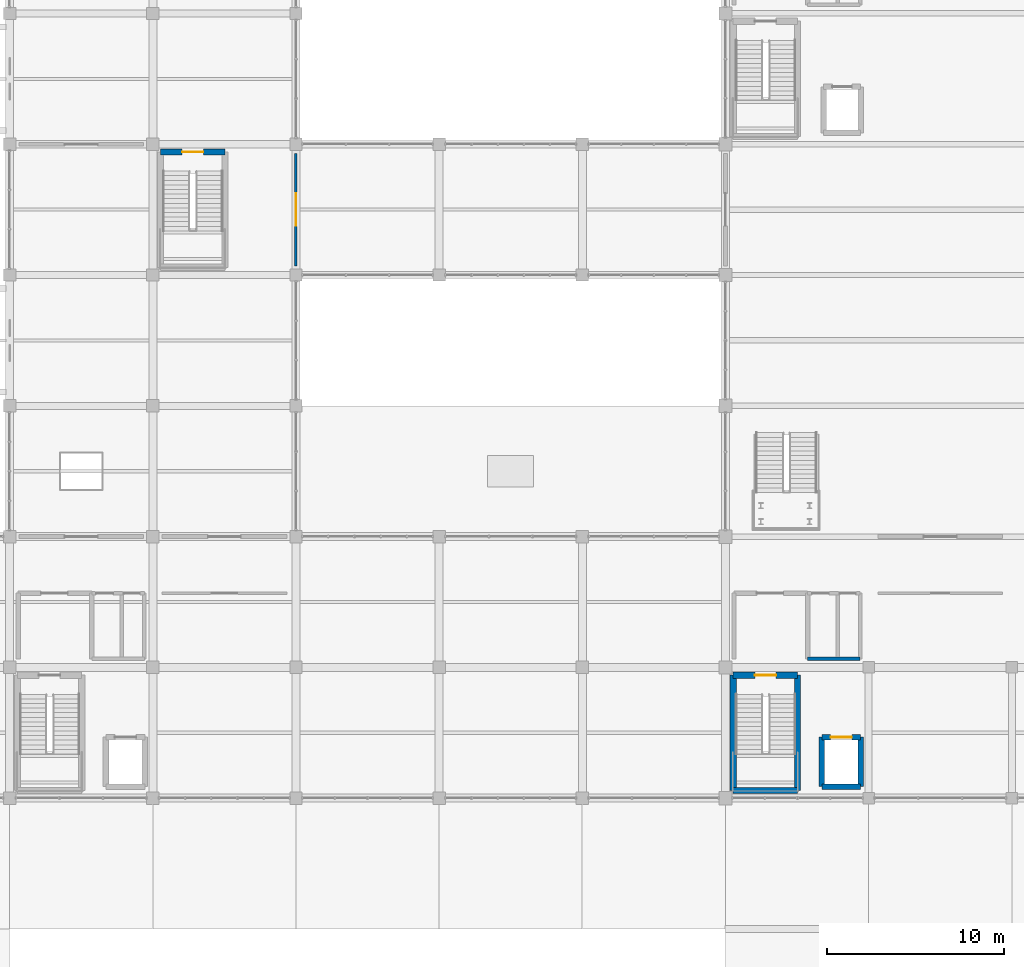
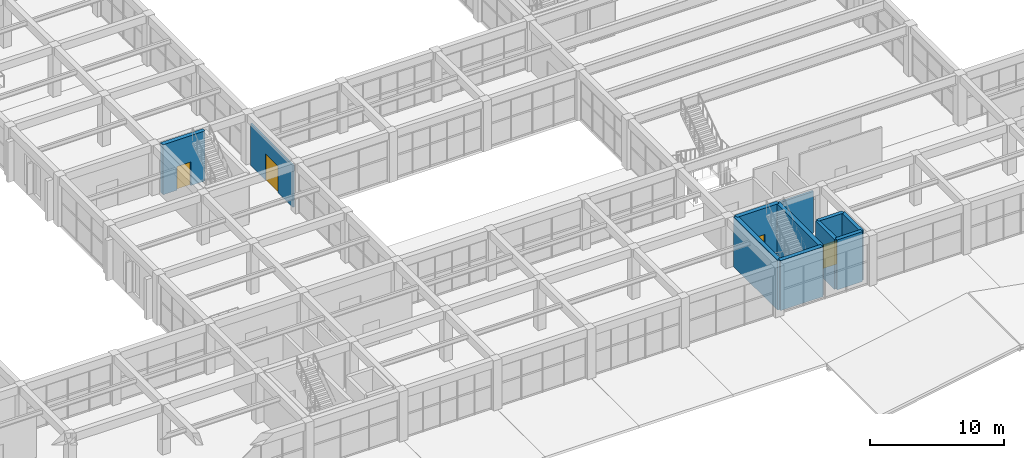
# One storey, part 146 of 161: 11 walls, 4 doors, 4 openings.
"""IFC4 building model written with IfcOpenShell, lengths in metres."""

from ifc_helpers import new_model, si_unit, direction, frame, frame_2d, origin, place, context, subcontext, project, spatial, rectangle, extrude, material, layer, layer_set, type_object, element, fill, save


model = new_model("IFC4")

# Units and contexts
model_context = context("Model", 3, precision=1e-05, world=origin(), true_north=direction((0.0, 1.0)))
body_context = subcontext(model_context, "Body", "Model", "MODEL_VIEW")
ifc_project = project(units=[si_unit("LENGTHUNIT", "METRE"), si_unit("AREAUNIT", "SQUARE_METRE"), si_unit("VOLUMEUNIT", "CUBIC_METRE"), si_unit("PLANEANGLEUNIT", "RADIAN"), si_unit("MASSUNIT", "GRAM", prefix="KILO")], contexts=[model_context])

# Site, building, storey
site_placement = place(None, origin())
site = spatial("IfcSite", under=ifc_project, at=site_placement, CompositionType="ELEMENT")
building_placement = place(site_placement, origin())
building = spatial("IfcBuilding", under=site, at=building_placement, Name="Cimatlan Art Gallery", CompositionType="ELEMENT")
storey_placement = place(building_placement, frame((0.0, 0.0, 5.39990234375)))
storey = spatial("IfcBuildingStorey", under=building, at=storey_placement, Name="L01", CompositionType="ELEMENT", Elevation=5.39990234375)

# Walls
ifc_material_1 = material(Name="Concrete C40/50", Category="concrete")
ifc_layer_1 = layer(ifc_material_1, 0.31005859375)
ifc_layer_set_1 = layer_set([ifc_layer_1], Name="Concrete C40/50")
wall_type_1 = type_object("IfcWallType", Name="W-CORE-310", PredefinedType="SHEAR", material=ifc_layer_set_1)
wall_1_placement = place(storey_placement, frame((80.35009765625, 24.550048828125, 0.0), z_axis=(0.0, 0.0, 1.0), x_axis=(0.0, 1.0, 0.0)))
element("IfcWall", 1, at=wall_1_placement, inside=storey, type_object=wall_type_1, Name="WL-SHFT-C3-L01-LW", PredefinedType="SHEAR", context=body_context, shape_type="SweptSolid", body=[
    extrude(rectangle(XDim=2.800048828125, YDim=0.31005859375, at=frame_2d((1.39990234375, 0.0))), origin(), (0.0, 0.0, 1.0), 4.55517578125),
])
wall_2_placement = place(storey_placement, frame((80.35009765625, 24.550048828125, 0.0), z_axis=(0.0, 0.0, 1.0), x_axis=(1.0, 0.0, 0.0)))
element("IfcWall", 2, at=wall_2_placement, inside=storey, type_object=wall_type_1, Name="WL-SHFT-C3-L01-LS", PredefinedType="SHEAR", context=body_context, shape_type="SweptSolid", body=[
    extrude(rectangle(XDim=2.199951171875, YDim=0.31005859375, at=frame_2d((1.10009765625, 0.0))), origin(), (0.0, 0.0, 1.0), 4.55517578125),
])
wall_3_placement = place(storey_placement, frame((82.550048828125, 24.550048828125, 0.0), z_axis=(0.0, 0.0, 1.0), x_axis=(0.0, 1.0, 0.0)))
element("IfcWall", 3, at=wall_3_placement, inside=storey, type_object=wall_type_1, Name="WL-SHFT-C3-L01-LE", PredefinedType="SHEAR", context=body_context, shape_type="SweptSolid", body=[
    extrude(rectangle(XDim=2.800048828125, YDim=0.31005859375, at=frame_2d((1.39990234375, 0.0))), origin(), (0.0, 0.0, 1.0), 4.55517578125),
])

# Wall, opening, door
wall_4_placement = place(storey_placement, frame((80.35009765625, 27.35009765625, 0.0), z_axis=(0.0, 0.0, 1.0), x_axis=(1.0, 0.0, 0.0)))
wall_4 = element("IfcWall", 4, at=wall_4_placement, inside=storey, type_object=wall_type_1, Name="WL-SHFT-C3-L01-LN", PredefinedType="SHEAR", context=body_context, shape_type="SweptSolid", body=[
    extrude(rectangle(XDim=2.199951171875, YDim=0.31005859375, at=frame_2d((1.10009765625, 0.0))), origin(), (0.0, 0.0, 1.0), 4.55517578125),
])
opening_1_placement = place(wall_4_placement, frame((0.5, 0.0, 0.0)))
opening_1 = element("IfcOpeningElement", 5, at=opening_1_placement, cuts=wall_4, Name="Opening LD-C3-L01", PredefinedType="OPENING", context=body_context, shape_type="SweptSolid", body=[
    extrude(rectangle(XDim=1.199951171875, YDim=2.14990234375, at=frame_2d((0.60009765625, 1.074951171875))), frame((0.0, 0.1650390625, 0.0), z_axis=(0.0, -1.0, 0.0), x_axis=(1.0, 0.0, 0.0)), (0.0, 0.0, 1.0), 0.330078125),
])
ifc_material_2 = material(Name="Fire-rated sliding firefighting lift landing door")
door_type_1 = type_object("IfcDoorType", Name="LD-FF-1200", OperationType="NOTDEFINED", PredefinedType="DOOR", material=ifc_material_2)
door_1_placement = place(opening_1_placement, origin())
door_1 = element("IfcDoor", 6, at=door_1_placement, inside=storey, type_object=door_type_1, Name="LD-FFL-02-L01", OperationType="SLIDING_TO_LEFT", OverallHeight=2.14990234375, OverallWidth=1.199951171875, PredefinedType="DOOR", context=body_context, shape_type="SweptSolid", body=[
    extrude(rectangle(XDim=1.199951171875, YDim=2.14990234375, at=frame_2d((0.60009765625, 1.074951171875))), frame((0.0, 0.02490234375, 0.0), z_axis=(0.0, -1.0, 0.0), x_axis=(1.0, 0.0, 0.0)), (0.0, 0.0, 1.0), 0.050048828125),
])
fill(opening_1, door_1)

# Walls
ifc_layer_2 = layer(ifc_material_1, 0.35009765625)
ifc_layer_set_2 = layer_set([ifc_layer_2], Name="Concrete C40/50")
wall_type_2 = type_object("IfcWallType", Name="W-CORE-350", PredefinedType="SHEAR", material=ifc_layer_set_2)
wall_5_placement = place(storey_placement, frame((75.340087890625, 24.340087890625, 0.0), z_axis=(0.0, 0.0, 1.0), x_axis=(0.0, 1.0, 0.0)))
element("IfcWall", 7, at=wall_5_placement, inside=storey, type_object=wall_type_2, Name="WL-CORE-C3-L01-SW", PredefinedType="SHEAR", context=body_context, shape_type="SweptSolid", body=[
    extrude(rectangle(XDim=6.52001953125, YDim=0.35009765625, at=frame_2d((3.260009765625, 0.0))), origin(), (0.0, 0.0, 1.0), 4.55517578125),
])
wall_6_placement = place(storey_placement, frame((75.340087890625, 24.340087890625, 0.0), z_axis=(0.0, 0.0, 1.0), x_axis=(1.0, 0.0, 0.0)))
element("IfcWall", 8, at=wall_6_placement, inside=storey, type_object=wall_type_2, Name="WL-CORE-C3-L01-SS", PredefinedType="SHEAR", context=body_context, shape_type="SweptSolid", body=[
    extrude(rectangle(XDim=3.639892578125, YDim=0.35009765625, at=frame_2d((1.81982421875, 0.0))), origin(), (0.0, 0.0, 1.0), 4.55517578125),
])
wall_7_placement = place(storey_placement, frame((78.97998046875, 24.340087890625, 0.0), z_axis=(0.0, 0.0, 1.0), x_axis=(0.0, 1.0, 0.0)))
element("IfcWall", 9, at=wall_7_placement, inside=storey, type_object=wall_type_2, Name="WL-CORE-C3-L01-SE", PredefinedType="SHEAR", context=body_context, shape_type="SweptSolid", body=[
    extrude(rectangle(XDim=6.52001953125, YDim=0.35009765625, at=frame_2d((3.260009765625, 0.0))), origin(), (0.0, 0.0, 1.0), 4.55517578125),
])

# Wall, opening, door
wall_8_placement = place(storey_placement, frame((75.340087890625, 30.860107421875, 0.0), z_axis=(0.0, 0.0, 1.0), x_axis=(1.0, 0.0, 0.0)))
wall_8 = element("IfcWall", 10, at=wall_8_placement, inside=storey, type_object=wall_type_2, Name="WL-CORE-C3-L01-SN", PredefinedType="SHEAR", context=body_context, shape_type="SweptSolid", body=[
    extrude(rectangle(XDim=3.639892578125, YDim=0.35009765625, at=frame_2d((1.81982421875, 0.0))), origin(), (0.0, 0.0, 1.0), 4.55517578125),
])
opening_2_placement = place(wall_8_placement, frame((1.219970703125, 0.0, 0.0)))
opening_2 = element("IfcOpeningElement", 11, at=opening_2_placement, cuts=wall_8, Name="Opening FD-C3-L01", PredefinedType="OPENING", context=body_context, shape_type="SweptSolid", body=[
    extrude(rectangle(XDim=1.199951171875, YDim=2.14990234375, at=frame_2d((0.60009765625, 1.074951171875))), frame((0.0, 0.18505859375, 0.0), z_axis=(0.0, -1.0, 0.0), x_axis=(1.0, 0.0, 0.0)), (0.0, 0.0, 1.0), 0.3701171875),
])
ifc_material_3 = material(Name="Fire-resisting steel acoustic stair door", Category="steel")
door_type_2 = type_object("IfcDoorType", Name="FD-ST-1200", OperationType="NOTDEFINED", PredefinedType="DOOR", material=ifc_material_3)
door_2_placement = place(opening_2_placement, origin())
door_2 = element("IfcDoor", 12, at=door_2_placement, inside=storey, type_object=door_type_2, Name="DR-C3-L01-ST", OperationType="SINGLE_SWING_LEFT", OverallHeight=2.14990234375, OverallWidth=1.199951171875, PredefinedType="DOOR", context=body_context, shape_type="SweptSolid", body=[
    extrude(rectangle(XDim=1.199951171875, YDim=2.14990234375, at=frame_2d((0.60009765625, 1.074951171875))), frame((0.0, 0.02490234375, 0.0), z_axis=(0.0, -1.0, 0.0), x_axis=(1.0, 0.0, 0.0)), (0.0, 0.0, 1.0), 0.050048828125),
])
fill(opening_2, door_2)

wall_9_placement = place(storey_placement, frame((42.93994140625, 60.4599609375, 0.0), z_axis=(0.0, 0.0, 1.0), x_axis=(1.0, 0.0, 0.0)))
wall_9 = element("IfcWall", 13, at=wall_9_placement, inside=storey, type_object=wall_type_2, Name="WL-CORE-C8-L01-SN", PredefinedType="SHEAR", context=body_context, shape_type="SweptSolid", body=[
    extrude(rectangle(XDim=3.64013671875, YDim=0.35009765625, at=frame_2d((1.820068359375, 0.0))), origin(), (0.0, 0.0, 1.0), 4.55517578125),
])
opening_3_placement = place(wall_9_placement, frame((1.219970703125, 0.0, 0.0)))
opening_3 = element("IfcOpeningElement", 14, at=opening_3_placement, cuts=wall_9, Name="Opening FD-C8-L01", PredefinedType="OPENING", context=body_context, shape_type="SweptSolid", body=[
    extrude(rectangle(XDim=1.199951171875, YDim=2.14990234375, at=frame_2d((0.60009765625, 1.074951171875))), frame((0.0, 0.18505859375, 0.0), z_axis=(0.0, -1.0, 0.0), x_axis=(1.0, 0.0, 0.0)), (0.0, 0.0, 1.0), 0.3701171875),
])
door_3_placement = place(opening_3_placement, origin())
door_3 = element("IfcDoor", 15, at=door_3_placement, inside=storey, type_object=door_type_2, Name="DR-C8-L01-ST", OperationType="SINGLE_SWING_RIGHT", OverallHeight=2.14990234375, OverallWidth=1.199951171875, PredefinedType="DOOR", context=body_context, shape_type="SweptSolid", body=[
    extrude(rectangle(XDim=1.199951171875, YDim=2.14990234375, at=frame_2d((0.60009765625, 1.074951171875))), frame((0.0, 0.02490234375, 0.0), z_axis=(0.0, -1.0, 0.0), x_axis=(1.0, 0.0, 0.0)), (0.0, 0.0, 1.0), 0.050048828125),
])
fill(opening_3, door_3)

ifc_material_4 = material(Name="Fire-rated gypsum board and steel stud partition", Category="steel")
ifc_layer_3 = layer(ifc_material_4, 0.139892578125)
ifc_layer_set_3 = layer_set([ifc_layer_3], Name="Fire-rated gypsum board and steel stud partition")
wall_type_3 = type_object("IfcWallType", Name="W-OFF-140", PredefinedType="PARTITIONING", material=ifc_layer_set_3)
wall_10_placement = place(storey_placement, frame((50.60009765625, 54.02001953125, 0.0), z_axis=(0.0, 0.0, 1.0), x_axis=(0.0, 1.0, 0.0)))
wall_10 = element("IfcWall", 16, at=wall_10_placement, inside=storey, type_object=wall_type_3, Name="WL-RM-L01-BRG-SC", PredefinedType="PARTITIONING", context=body_context, shape_type="SweptSolid", body=[
    extrude(rectangle(XDim=6.35986328125, YDim=0.139892578125, at=frame_2d((3.179931640625, 0.0))), origin(), (0.0, 0.0, 1.0), 3.800048828125),
])
opening_4_placement = place(wall_10_placement, frame((2.2548828125, 0.0, 0.0)))
opening_4 = element("IfcOpeningElement", 17, at=opening_4_placement, cuts=wall_10, Name="Opening DI-0202", PredefinedType="OPENING", context=body_context, shape_type="SweptSolid", body=[
    extrude(rectangle(XDim=1.85009765625, YDim=2.39990234375, at=frame_2d((0.925048828125, 1.199951171875))), frame((0.0, 0.080078125, 0.0), z_axis=(0.0, -1.0, 0.0), x_axis=(1.0, 0.0, 0.0)), (0.0, 0.0, 1.0), 0.159912109375),
])
ifc_material_5 = material(Name="European oak gallery portal door")
door_type_3 = type_object("IfcDoorType", Name="DI-GL-1850", OperationType="NOTDEFINED", PredefinedType="DOOR", material=ifc_material_5)
door_4_placement = place(opening_4_placement, origin())
door_4 = element("IfcDoor", 18, at=door_4_placement, inside=storey, type_object=door_type_3, Name="DR-RM-L01-BRG-SC", OperationType="SINGLE_SWING_RIGHT", OverallHeight=2.39990234375, OverallWidth=1.85009765625, PredefinedType="DOOR", context=body_context, shape_type="SweptSolid", body=[
    extrude(rectangle(XDim=1.85009765625, YDim=2.39990234375, at=frame_2d((0.925048828125, 1.199951171875))), frame((0.0, 0.02490234375, 0.0), z_axis=(0.0, -1.0, 0.0), x_axis=(1.0, 0.0, 0.0)), (0.0, 0.0, 1.0), 0.050048828125),
])
fill(opening_4, door_4)

# Wall
ifc_material_6 = material(Name="Moisture-resistant fire-rated plumbing wall")
ifc_layer_4 = layer(ifc_material_6, 0.195068359375)
ifc_layer_set_4 = layer_set([ifc_layer_4], Name="Moisture-resistant fire-rated plumbing wall")
wall_type_4 = type_object("IfcWallType", Name="W-PLM-195", PredefinedType="PARTITIONING", material=ifc_layer_set_4)
wall_11_placement = place(storey_placement, frame((79.550048828125, 31.780029296875, 0.0), z_axis=(0.0, 0.0, 1.0), x_axis=(1.0, 0.0, 0.0)))
element("IfcWall", 19, at=wall_11_placement, inside=storey, type_object=wall_type_4, Name="WL-LOB-C3-L01-S", PredefinedType="PARTITIONING", context=body_context, shape_type="SweptSolid", body=[
    extrude(rectangle(XDim=2.969970703125, YDim=0.195068359375, at=frame_2d((1.48486328125, 0.0))), origin(), (0.0, 0.0, 1.0), 3.800048828125),
])

save(model, "model.ifc")
